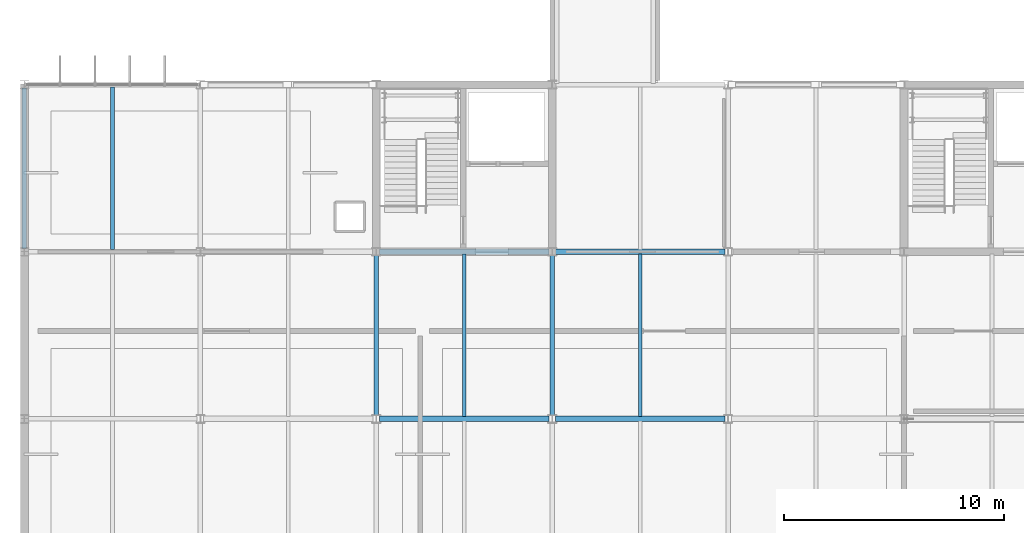
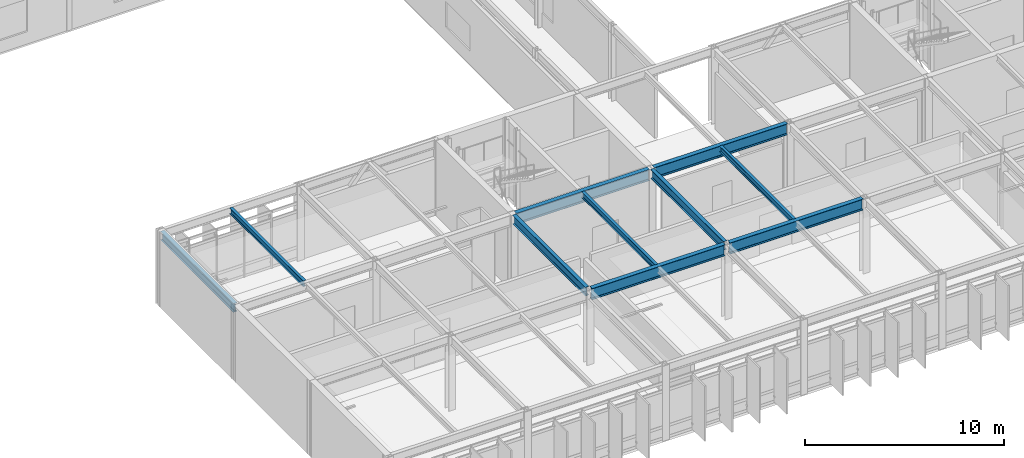
# One storey, part 24 of 104: 10 beams.
"""IFC4 building model written with IfcOpenShell, lengths in metres."""

from ifc_helpers import new_model, si_unit, direction, frame, origin, origin_2d, place, context, subcontext, project, spatial, i_section, extrude, material, material_profile, profile_set, type_object, element, save


model = new_model("IFC4")

# Units and contexts
model_context = context("Model", 3, precision=1e-05, world=origin(), true_north=direction((0.0, 1.0)))
body_context = subcontext(model_context, "Body", "Model", "MODEL_VIEW")
ifc_project = project(units=[si_unit("LENGTHUNIT", "METRE"), si_unit("AREAUNIT", "SQUARE_METRE"), si_unit("VOLUMEUNIT", "CUBIC_METRE"), si_unit("PLANEANGLEUNIT", "RADIAN"), si_unit("MASSUNIT", "GRAM", prefix="KILO")], contexts=[model_context])

# Site, building, storey
site_placement = place(None, origin())
site = spatial("IfcSite", under=ifc_project, at=site_placement, CompositionType="ELEMENT")
building_placement = place(site_placement, origin())
building = spatial("IfcBuilding", under=site, at=building_placement, Name="Zulena Civic Courthouse", CompositionType="ELEMENT")
storey_placement = place(building_placement, frame((0.0, 0.0, 15.60009765625)))
storey = spatial("IfcBuildingStorey", under=building, at=storey_placement, Name="L03", CompositionType="ELEMENT", Elevation=15.60009765625)

# Beams
ifc_material = material(Name="Steel ASTM A992 Grade 50", Category="steel")
ifc_material_profile_1 = material_profile(ifc_material, i_section(OverallWidth=0.2099609375, OverallDepth=0.537109375, WebThickness=0.010986328125, FlangeThickness=0.017333984375, FilletRadius=0.0126953125, at=origin_2d()), Name="W21X68")
ifc_profile_set_1 = profile_set([ifc_material_profile_1], Name="Steel ASTM A992 Grade 50")
beam_type_1 = type_object("IfcBeamType", Name="Girder_W21X68", PredefinedType="BEAM", material=ifc_profile_set_1)
for number, where, z_axis, x_axis, name in (
    (1, (20.0, 7.7451171875, 4.3212890625), (0.0, 1.0, 0.0), (-1.0, 0.0, 0.0), "beam:Y:V2:L03:20.0:7.6_15.2"),
    (2, (28.0, 7.7451171875, 4.3212890625), (0.0, 1.0, 0.0), (-1.0, 0.0, 0.0), "beam:Y:V2:L03:28.0:7.6_15.2"),
):
    element("IfcBeam", number, at=place(storey_placement, frame(where, z_axis=z_axis, x_axis=x_axis)), inside=storey, type_object=beam_type_1, Name=name, PredefinedType="BEAM", context=body_context, shape_type="SweptSolid", body=[
        extrude(i_section(OverallWidth=0.2099609375, OverallDepth=0.537109375, WebThickness=0.010986328125, FlangeThickness=0.017333984375, FilletRadius=0.0126953125, at=origin_2d()), origin(), (0.0, 0.0, 1.0), 7.309814453125),
    ])
ifc_material_profile_2 = material_profile(ifc_material, i_section(OverallWidth=0.25390625, OverallDepth=0.68798828125, WebThickness=0.01318359375, FlangeThickness=0.02099609375, FilletRadius=0.0166015625, at=origin_2d()), Name="W27X102")
ifc_profile_set_2 = profile_set([ifc_material_profile_2], Name="Steel ASTM A992 Grade 50")
beam_type_2 = type_object("IfcBeamType", Name="Girder_W27X102", PredefinedType="BEAM", material=ifc_profile_set_2)
for number, where, z_axis, x_axis, name in (
    (3, (20.14501953125, 7.60009765625, 4.245849609375), (1.0, 0.0, 0.0), (0.0, 1.0, 0.0), "beam:X:V2:L03:7.6:20.0_28.0"),
    (4, (28.14501953125, 7.60009765625, 4.245849609375), (1.0, 0.0, 0.0), (0.0, 1.0, 0.0), "beam:X:V2:L03:7.6:28.0_36.0"),
    (5, (20.14501953125, 15.199951171875, 4.245849609375), (1.0, 0.0, 0.0), (0.0, 1.0, 0.0), "beam:X:V2:L03:15.2:20.0_28.0"),
    (6, (28.14501953125, 15.199951171875, 4.245849609375), (1.0, 0.0, 0.0), (0.0, 1.0, 0.0), "beam:X:V2:L03:15.2:28.0_36.0"),
):
    element("IfcBeam", number, at=place(storey_placement, frame(where, z_axis=z_axis, x_axis=x_axis)), inside=storey, type_object=beam_type_2, Name=name, PredefinedType="BEAM", context=body_context, shape_type="SweptSolid", body=[
        extrude(i_section(OverallWidth=0.25390625, OverallDepth=0.68798828125, WebThickness=0.01318359375, FlangeThickness=0.02099609375, FilletRadius=0.0166015625, at=origin_2d()), origin(), (0.0, 0.0, 1.0), 7.7099609375),
    ])
ifc_material_profile_3 = material_profile(ifc_material, i_section(OverallWidth=0.1708984375, OverallDepth=0.35205078125, WebThickness=0.0068359375, FlangeThickness=0.009765625, FilletRadius=0.01025390625, at=origin_2d()), Name="W14X30")
ifc_profile_set_3 = profile_set([ifc_material_profile_3], Name="Steel ASTM A992 Grade 50")
beam_type_3 = type_object("IfcBeamType", Name="Joist_W14X30", PredefinedType="JOIST", material=ifc_profile_set_3)
beam_1_placement = place(storey_placement, frame((8.0, 15.304931640625, 4.413818359375), z_axis=(0.0, 1.0, 0.0), x_axis=(-1.0, 0.0, 0.0)))
element("IfcBeam", 7, at=beam_1_placement, inside=storey, type_object=beam_type_3, Name="joist:V2:L03:8.00:15.2_22.8", PredefinedType="JOIST", context=body_context, shape_type="SweptSolid", body=[
    extrude(i_section(OverallWidth=0.1708984375, OverallDepth=0.35205078125, WebThickness=0.0068359375, FlangeThickness=0.009765625, FilletRadius=0.01025390625, at=origin_2d()), origin(), (0.0, 0.0, 1.0), 7.39013671875),
])
for number, where, z_axis, x_axis, name in (
    (8, (24.0, 7.705078125, 4.413818359375), (0.0, 1.0, 0.0), (-1.0, 0.0, 0.0), "joist:V2:L03:24.00:7.6_15.2"),
    (9, (32.0, 7.705078125, 4.413818359375), (0.0, 1.0, 0.0), (-1.0, 0.0, 0.0), "joist:V2:L03:32.00:7.6_15.2"),
):
    element("IfcBeam", number, at=place(storey_placement, frame(where, z_axis=z_axis, x_axis=x_axis)), inside=storey, type_object=beam_type_3, Name=name, PredefinedType="JOIST", context=body_context, shape_type="SweptSolid", body=[
        extrude(i_section(OverallWidth=0.1708984375, OverallDepth=0.35205078125, WebThickness=0.0068359375, FlangeThickness=0.009765625, FilletRadius=0.01025390625, at=origin_2d()), origin(), (0.0, 0.0, 1.0), 7.389892578125),
    ])
ifc_material_profile_4 = material_profile(ifc_material, i_section(OverallWidth=0.2099609375, OverallDepth=0.537109375, WebThickness=0.010986328125, FlangeThickness=0.017333984375, FilletRadius=0.0126953125, at=origin_2d()), Name="W21X68")
ifc_profile_set_4 = profile_set([ifc_material_profile_4], Name="Steel ASTM A992 Grade 50")
beam_type_4 = type_object("IfcBeamType", Name="Spandrel_W21X68", PredefinedType="SPANDREL", material=ifc_profile_set_4)
beam_2_placement = place(storey_placement, frame((4.0, 15.344970703125, 4.3212890625), z_axis=(0.0, 1.0, 0.0), x_axis=(-1.0, 0.0, 0.0)))
element("IfcBeam", 10, at=beam_2_placement, inside=storey, type_object=beam_type_4, Name="beam:Y:V2:L03:4.0:15.2_22.8", PredefinedType="SPANDREL", context=body_context, shape_type="SweptSolid", body=[
    extrude(i_section(OverallWidth=0.2099609375, OverallDepth=0.537109375, WebThickness=0.010986328125, FlangeThickness=0.017333984375, FilletRadius=0.0126953125, at=origin_2d()), origin(), (0.0, 0.0, 1.0), 7.31005859375),
])

save(model, "model.ifc")
